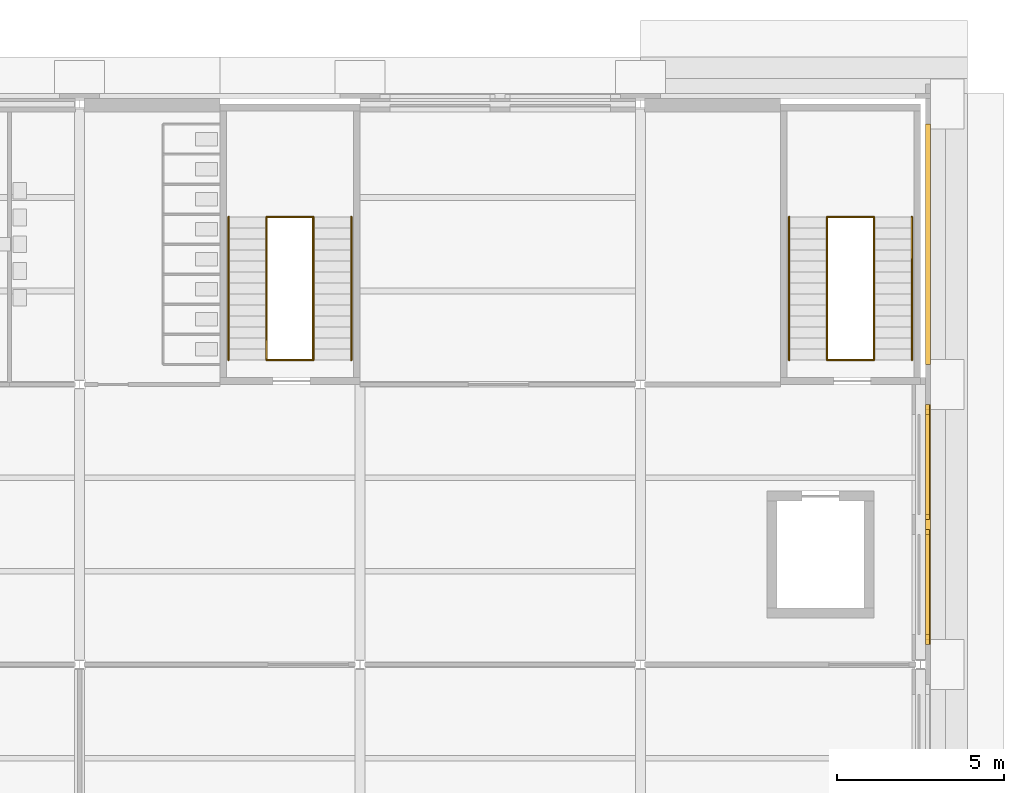
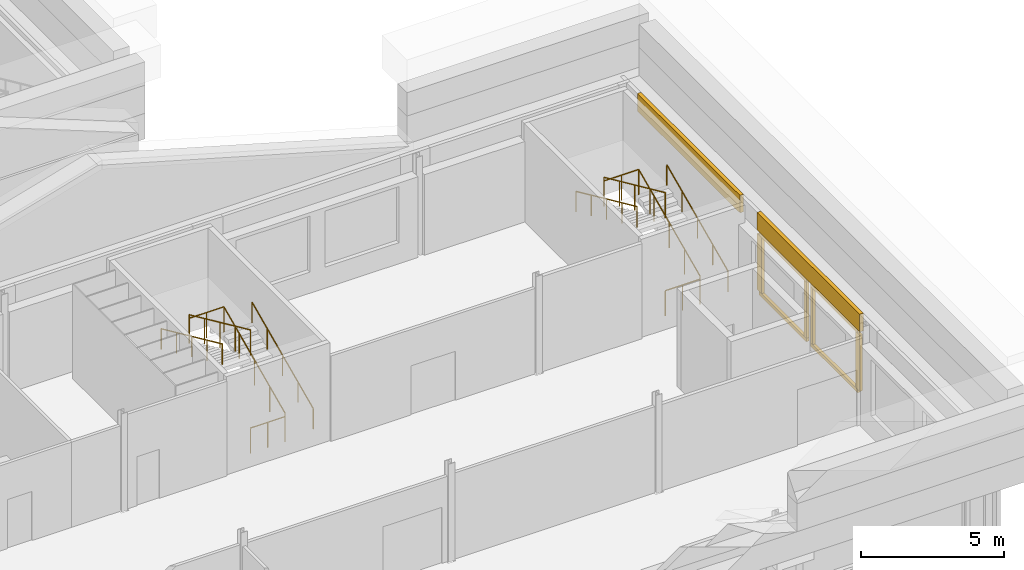
# One storey, part 62 of 76: 12 railings, 10 coverings.
"""IFC4 building model written with IfcOpenShell, lengths in metres."""

from ifc_helpers import new_model, si_unit, direction, frame, origin, origin_2d, place, context, subcontext, project, spatial, polyline, rectangle, circle, outline, extrude, material, layer, layer_set, type_object, element, save


model = new_model("IFC4")

# Units and contexts
model_context = context("Model", 3, precision=1e-05, world=origin(), true_north=direction((0.0, 1.0)))
body_context = subcontext(model_context, "Body", "Model", "MODEL_VIEW")
ifc_project = project(units=[si_unit("LENGTHUNIT", "METRE"), si_unit("AREAUNIT", "SQUARE_METRE"), si_unit("VOLUMEUNIT", "CUBIC_METRE"), si_unit("PLANEANGLEUNIT", "RADIAN"), si_unit("MASSUNIT", "GRAM", prefix="KILO")], contexts=[model_context])

# Site, building, storey
site_placement = place(None, origin())
site = spatial("IfcSite", under=ifc_project, at=site_placement, CompositionType="ELEMENT")
building_placement = place(site_placement, origin())
building = spatial("IfcBuilding", under=site, at=building_placement, Name="Sava Quay Ferry Terminal", CompositionType="ELEMENT")
storey_placement = place(building_placement, frame((0.0, 0.0, 10.800048828125)))
storey = spatial("IfcBuildingStorey", under=building, at=storey_placement, Name="L02", CompositionType="ELEMENT", Elevation=10.800048828125)

# Railings
ifc_material_1 = material(Name="Steel S355", Category="steel")
railing_type_1 = type_object("IfcRailingType", Name="Guard 1100", PredefinedType="GUARDRAIL", material=ifc_material_1)
railing_1_placement = place(storey_placement, frame((106.39990234375, 42.72998046875, 0.0)))
element("IfcRailing", 1, at=railing_1_placement, inside=storey, type_object=railing_type_1, Name="Guard at stair well ST-P3 L02", PredefinedType="GUARDRAIL", context=body_context, shape_type="SweptSolid", body=[
    extrude(circle(Radius=0.02392578125, at=origin_2d()), frame((0.0, 0.0, 1.076171875), z_axis=(1.0, 0.0, 0.0), x_axis=(0.0, 1.0, 0.0)), (0.0, 0.0, 1.0), 1.400146484375),
    extrude(circle(Radius=0.02099609375, at=origin_2d()), origin(), (0.0, 0.0, 1.0), 1.052001953125),
    extrude(circle(Radius=0.02099609375, at=origin_2d()), frame((0.7001953125, 0.0, 0.0)), (0.0, 0.0, 1.0), 1.052001953125),
    extrude(circle(Radius=0.02099609375, at=origin_2d()), frame((1.400146484375, 0.0, 0.0)), (0.0, 0.0, 1.0), 1.052001953125),
])
railing_2_placement = place(storey_placement, frame((107.800048828125, 42.72998046875, 0.14990234375)))
element("IfcRailing", 2, at=railing_2_placement, inside=storey, type_object=railing_type_1, Name="Guard at stair well ST-P3 L02", PredefinedType="GUARDRAIL", context=body_context, shape_type="SweptSolid", body=[
    extrude(circle(Radius=0.02392578125, at=origin_2d()), frame((0.0, 0.0, 1.076171875), z_axis=(0.0, 0.910371800137, 0.413791234219), x_axis=(-1.0, 0.0, 0.0)), (0.0, 0.0, 1.0), 4.71240234375),
    extrude(circle(Radius=0.02099609375, at=origin_2d()), origin(), (0.0, 0.0, 1.0), 1.052001953125),
    extrude(circle(Radius=0.02099609375, at=origin_2d()), frame((0.0, 1.072509765625, 0.487548828125)), (0.0, 0.0, 1.0), 1.052001953125),
    extrude(circle(Radius=0.02099609375, at=origin_2d()), frame((0.0, 2.14501953125, 0.97509765625)), (0.0, 0.0, 1.0), 1.052001953125),
    extrude(circle(Radius=0.02099609375, at=origin_2d()), frame((0.0, 3.217529296875, 1.46240234375)), (0.0, 0.0, 1.0), 1.052001953125),
    extrude(circle(Radius=0.02099609375, at=origin_2d()), frame((0.0, 4.2900390625, 1.949951171875)), (0.0, 0.0, 1.0), 1.052001953125),
])
railing_3_placement = place(storey_placement, frame((106.39990234375, 47.02001953125, 2.25)))
element("IfcRailing", 3, at=railing_3_placement, inside=storey, type_object=railing_type_1, Name="Guard at stair well ST-P3 L02", PredefinedType="GUARDRAIL", context=body_context, shape_type="SweptSolid", body=[
    extrude(circle(Radius=0.02392578125, at=origin_2d()), frame((0.0, 0.0, 1.076171875), z_axis=(0.0, -0.910371800137, 0.413791234219), x_axis=(1.0, 0.0, 0.0)), (0.0, 0.0, 1.0), 4.71240234375),
    extrude(circle(Radius=0.02099609375, at=origin_2d()), origin(), (0.0, 0.0, 1.0), 1.052001953125),
    extrude(circle(Radius=0.02099609375, at=origin_2d()), frame((0.0, -1.072509765625, 0.487548828125)), (0.0, 0.0, 1.0), 1.052001953125),
    extrude(circle(Radius=0.02099609375, at=origin_2d()), frame((0.0, -2.14501953125, 0.97509765625)), (0.0, 0.0, 1.0), 1.052001953125),
    extrude(circle(Radius=0.02099609375, at=origin_2d()), frame((0.0, -3.217529296875, 1.46240234375)), (0.0, 0.0, 1.0), 1.052001953125),
    extrude(circle(Radius=0.02099609375, at=origin_2d()), frame((0.0, -4.2900390625, 1.949951171875)), (0.0, 0.0, 1.0), 1.052001953125),
])
for number, where, name in (
    (4, (106.39990234375, 47.02001953125, 2.099853515625), "Guard at half landing ST-P3 L02"),
    (5, (123.199951171875, 42.72998046875, 0.0), "Guard at stair well ST-P2 L02"),
):
    element("IfcRailing", number, at=place(storey_placement, frame(where)), inside=storey, type_object=railing_type_1, Name=name, PredefinedType="GUARDRAIL", context=body_context, shape_type="SweptSolid", body=[
        extrude(circle(Radius=0.02392578125, at=origin_2d()), frame((0.0, 0.0, 1.076171875), z_axis=(1.0, 0.0, 0.0), x_axis=(0.0, 1.0, 0.0)), (0.0, 0.0, 1.0), 1.400146484375),
        extrude(circle(Radius=0.02099609375, at=origin_2d()), origin(), (0.0, 0.0, 1.0), 1.052001953125),
        extrude(circle(Radius=0.02099609375, at=origin_2d()), frame((0.7001953125, 0.0, 0.0)), (0.0, 0.0, 1.0), 1.052001953125),
        extrude(circle(Radius=0.02099609375, at=origin_2d()), frame((1.400146484375, 0.0, 0.0)), (0.0, 0.0, 1.0), 1.052001953125),
    ])
railing_4_placement = place(storey_placement, frame((124.60009765625, 42.72998046875, 0.14990234375)))
element("IfcRailing", 6, at=railing_4_placement, inside=storey, type_object=railing_type_1, Name="Guard at stair well ST-P2 L02", PredefinedType="GUARDRAIL", context=body_context, shape_type="SweptSolid", body=[
    extrude(circle(Radius=0.02392578125, at=origin_2d()), frame((0.0, 0.0, 1.076171875), z_axis=(0.0, 0.910371800137, 0.413791234219), x_axis=(-1.0, 0.0, 0.0)), (0.0, 0.0, 1.0), 4.71240234375),
    extrude(circle(Radius=0.02099609375, at=origin_2d()), origin(), (0.0, 0.0, 1.0), 1.052001953125),
    extrude(circle(Radius=0.02099609375, at=origin_2d()), frame((0.0, 1.072509765625, 0.487548828125)), (0.0, 0.0, 1.0), 1.052001953125),
    extrude(circle(Radius=0.02099609375, at=origin_2d()), frame((0.0, 2.14501953125, 0.97509765625)), (0.0, 0.0, 1.0), 1.052001953125),
    extrude(circle(Radius=0.02099609375, at=origin_2d()), frame((0.0, 3.217529296875, 1.46240234375)), (0.0, 0.0, 1.0), 1.052001953125),
    extrude(circle(Radius=0.02099609375, at=origin_2d()), frame((0.0, 4.2900390625, 1.949951171875)), (0.0, 0.0, 1.0), 1.052001953125),
])
railing_5_placement = place(storey_placement, frame((123.199951171875, 47.02001953125, 2.25)))
element("IfcRailing", 7, at=railing_5_placement, inside=storey, type_object=railing_type_1, Name="Guard at stair well ST-P2 L02", PredefinedType="GUARDRAIL", context=body_context, shape_type="SweptSolid", body=[
    extrude(circle(Radius=0.02392578125, at=origin_2d()), frame((0.0, 0.0, 1.076171875), z_axis=(0.0, -0.910371800137, 0.413791234219), x_axis=(1.0, 0.0, 0.0)), (0.0, 0.0, 1.0), 4.71240234375),
    extrude(circle(Radius=0.02099609375, at=origin_2d()), origin(), (0.0, 0.0, 1.0), 1.052001953125),
    extrude(circle(Radius=0.02099609375, at=origin_2d()), frame((0.0, -1.072509765625, 0.487548828125)), (0.0, 0.0, 1.0), 1.052001953125),
    extrude(circle(Radius=0.02099609375, at=origin_2d()), frame((0.0, -2.14501953125, 0.97509765625)), (0.0, 0.0, 1.0), 1.052001953125),
    extrude(circle(Radius=0.02099609375, at=origin_2d()), frame((0.0, -3.217529296875, 1.46240234375)), (0.0, 0.0, 1.0), 1.052001953125),
    extrude(circle(Radius=0.02099609375, at=origin_2d()), frame((0.0, -4.2900390625, 1.949951171875)), (0.0, 0.0, 1.0), 1.052001953125),
])
railing_6_placement = place(storey_placement, frame((123.199951171875, 47.02001953125, 2.099853515625)))
element("IfcRailing", 8, at=railing_6_placement, inside=storey, type_object=railing_type_1, Name="Guard at half landing ST-P2 L02", PredefinedType="GUARDRAIL", context=body_context, shape_type="SweptSolid", body=[
    extrude(circle(Radius=0.02392578125, at=origin_2d()), frame((0.0, 0.0, 1.076171875), z_axis=(1.0, 0.0, 0.0), x_axis=(0.0, 1.0, 0.0)), (0.0, 0.0, 1.0), 1.400146484375),
    extrude(circle(Radius=0.02099609375, at=origin_2d()), origin(), (0.0, 0.0, 1.0), 1.052001953125),
    extrude(circle(Radius=0.02099609375, at=origin_2d()), frame((0.7001953125, 0.0, 0.0)), (0.0, 0.0, 1.0), 1.052001953125),
    extrude(circle(Radius=0.02099609375, at=origin_2d()), frame((1.400146484375, 0.0, 0.0)), (0.0, 0.0, 1.0), 1.052001953125),
])

# Coverings
ifc_material_2 = material(Name="Limestone Mutalj", Category="masonry")
ifc_layer_1 = layer(ifc_material_2, 0.14990234375)
ifc_layer_set_1 = layer_set([ifc_layer_1], Name="Limestone Mutalj")
covering_type_1 = type_object("IfcCoveringType", Name="Limestone string course 150", PredefinedType="CLADDING", material=ifc_layer_set_1)
covering_1_placement = place(storey_placement, frame((0.0, 0.0, 3.449951171875)))
element("IfcCovering", 9, at=covering_1_placement, inside=storey, type_object=covering_type_1, Name="String course P-E", PredefinedType="CLADDING", context=body_context, shape_type="SweptSolid", body=[
    extrude(outline(polyline([(126.14990234375, 34.199951171875), (126.14990234375, 41.39990234375), (126.300048828125, 41.39990234375), (126.300048828125, 34.199951171875), (126.14990234375, 34.199951171875)])), origin(), (0.0, 0.0, 1.0), 0.75),
])
covering_2_placement = place(storey_placement, frame((0.0, 0.0, 3.449951171875)))
element("IfcCovering", 10, at=covering_2_placement, inside=storey, type_object=covering_type_1, Name="String course P-E", PredefinedType="CLADDING", context=body_context, shape_type="SweptSolid", body=[
    extrude(outline(polyline([(126.14990234375, 42.60009765625), (126.14990234375, 49.800048828125), (126.300048828125, 49.800048828125), (126.300048828125, 42.60009765625), (126.14990234375, 42.60009765625)])), origin(), (0.0, 0.0, 1.0), 0.75),
])
ifc_material_3 = material(Name="Limestone Mutalj", Category="masonry")
ifc_layer_2 = layer(ifc_material_3, 0.1201171875)
ifc_layer_set_2 = layer_set([ifc_layer_2], Name="Limestone Mutalj")
covering_type_2 = type_object("IfcCoveringType", Name="Plain window architrave 150", PredefinedType="MOLDING", material=ifc_layer_set_2)
covering_3_placement = place(storey_placement, frame((126.2099609375, 34.35009765625, 0.89990234375), z_axis=(0.0, 0.0, 1.0), x_axis=(1.0, 0.0, 0.0)))
element("IfcCovering", 11, at=covering_3_placement, inside=storey, type_object=covering_type_2, Name="Plain window architrave", PredefinedType="MOLDING", context=body_context, shape_type="SweptSolid", body=[
    extrude(rectangle(XDim=0.1201171875, YDim=0.300048828125, at=origin_2d()), origin(), (0.0, 0.0, 1.0), 2.39990234375),
])
covering_4_placement = place(storey_placement, frame((126.2099609375, 37.574951171875, 0.89990234375), z_axis=(0.0, 0.0, 1.0), x_axis=(1.0, 0.0, 0.0)))
element("IfcCovering", 12, at=covering_4_placement, inside=storey, type_object=covering_type_2, Name="Plain window architrave", PredefinedType="MOLDING", context=body_context, shape_type="SweptSolid", body=[
    extrude(rectangle(XDim=0.1201171875, YDim=0.14990234375, at=origin_2d()), origin(), (0.0, 0.0, 1.0), 2.39990234375),
])
for number, where, z_axis, x_axis, name in (
    (13, (126.2099609375, 36.0, 3.300048828125), (0.0, 0.0, 1.0), (1.0, 0.0, 0.0), "Plain window architrave"),
    (14, (126.2099609375, 36.0, 0.75), (0.0, 0.0, 1.0), (1.0, 0.0, 0.0), "Plain window architrave"),
):
    element("IfcCovering", number, at=place(storey_placement, frame(where, z_axis=z_axis, x_axis=x_axis)), inside=storey, type_object=covering_type_2, Name=name, PredefinedType="MOLDING", context=body_context, shape_type="SweptSolid", body=[
        extrude(rectangle(XDim=0.1201171875, YDim=3.300048828125, at=origin_2d()), origin(), (0.0, 0.0, 1.0), 0.14990234375),
    ])
covering_5_placement = place(storey_placement, frame((126.2099609375, 38.02490234375, 0.89990234375), z_axis=(0.0, 0.0, 1.0), x_axis=(1.0, 0.0, 0.0)))
element("IfcCovering", 15, at=covering_5_placement, inside=storey, type_object=covering_type_2, Name="Plain window architrave", PredefinedType="MOLDING", context=body_context, shape_type="SweptSolid", body=[
    extrude(rectangle(XDim=0.1201171875, YDim=0.14990234375, at=origin_2d()), origin(), (0.0, 0.0, 1.0), 2.39990234375),
])
covering_6_placement = place(storey_placement, frame((126.2099609375, 41.25, 0.89990234375), z_axis=(0.0, 0.0, 1.0), x_axis=(1.0, 0.0, 0.0)))
element("IfcCovering", 16, at=covering_6_placement, inside=storey, type_object=covering_type_2, Name="Plain window architrave", PredefinedType="MOLDING", context=body_context, shape_type="SweptSolid", body=[
    extrude(rectangle(XDim=0.1201171875, YDim=0.300048828125, at=origin_2d()), origin(), (0.0, 0.0, 1.0), 2.39990234375),
])
for number, where, z_axis, x_axis, name in (
    (17, (126.2099609375, 39.60009765625, 3.300048828125), (0.0, 0.0, 1.0), (1.0, 0.0, 0.0), "Plain window architrave"),
    (18, (126.2099609375, 39.60009765625, 0.75), (0.0, 0.0, 1.0), (1.0, 0.0, 0.0), "Plain window architrave"),
):
    element("IfcCovering", number, at=place(storey_placement, frame(where, z_axis=z_axis, x_axis=x_axis)), inside=storey, type_object=covering_type_2, Name=name, PredefinedType="MOLDING", context=body_context, shape_type="SweptSolid", body=[
        extrude(rectangle(XDim=0.1201171875, YDim=3.300048828125, at=origin_2d()), origin(), (0.0, 0.0, 1.0), 0.14990234375),
    ])

# Railings
ifc_material_4 = material(Name="Steel S355", Category="steel")
railing_type_2 = type_object("IfcRailingType", Name="Stair handrail 900", PredefinedType="HANDRAIL", material=ifc_material_4)
railing_7_placement = place(storey_placement, frame((108.93994140625, 42.72998046875, 0.14990234375)))
element("IfcRailing", 19, at=railing_7_placement, inside=storey, type_object=railing_type_2, Name="Handrail ST-P3 L02", PredefinedType="HANDRAIL", context=body_context, shape_type="SweptSolid", body=[
    extrude(circle(Radius=0.02392578125, at=origin_2d()), frame((0.0, 0.0, 0.8759765625), z_axis=(0.0, 0.910371800137, 0.413791234219), x_axis=(-1.0, 0.0, 0.0)), (0.0, 0.0, 1.0), 4.71240234375),
    extrude(circle(Radius=0.02099609375, at=origin_2d()), origin(), (0.0, 0.0, 1.0), 0.851806640625),
    extrude(circle(Radius=0.02099609375, at=origin_2d()), frame((0.0, 1.072509765625, 0.487548828125)), (0.0, 0.0, 1.0), 0.851806640625),
    extrude(circle(Radius=0.02099609375, at=origin_2d()), frame((0.0, 2.14501953125, 0.97509765625)), (0.0, 0.0, 1.0), 0.851806640625),
    extrude(circle(Radius=0.02099609375, at=origin_2d()), frame((0.0, 3.217529296875, 1.46240234375)), (0.0, 0.0, 1.0), 0.851806640625),
    extrude(circle(Radius=0.02099609375, at=origin_2d()), frame((0.0, 4.2900390625, 1.949951171875)), (0.0, 0.0, 1.0), 0.851806640625),
])
railing_8_placement = place(storey_placement, frame((105.260009765625, 47.02001953125, 2.25)))
element("IfcRailing", 20, at=railing_8_placement, inside=storey, type_object=railing_type_2, Name="Handrail ST-P3 L02", PredefinedType="HANDRAIL", context=body_context, shape_type="SweptSolid", body=[
    extrude(circle(Radius=0.02392578125, at=origin_2d()), frame((0.0, 0.0, 0.8759765625), z_axis=(0.0, -0.910371800137, 0.413791234219), x_axis=(1.0, 0.0, 0.0)), (0.0, 0.0, 1.0), 4.71240234375),
    extrude(circle(Radius=0.02099609375, at=origin_2d()), origin(), (0.0, 0.0, 1.0), 0.851806640625),
    extrude(circle(Radius=0.02099609375, at=origin_2d()), frame((0.0, -1.072509765625, 0.487548828125)), (0.0, 0.0, 1.0), 0.851806640625),
    extrude(circle(Radius=0.02099609375, at=origin_2d()), frame((0.0, -2.14501953125, 0.97509765625)), (0.0, 0.0, 1.0), 0.851806640625),
    extrude(circle(Radius=0.02099609375, at=origin_2d()), frame((0.0, -3.217529296875, 1.46240234375)), (0.0, 0.0, 1.0), 0.851806640625),
    extrude(circle(Radius=0.02099609375, at=origin_2d()), frame((0.0, -4.2900390625, 1.949951171875)), (0.0, 0.0, 1.0), 0.851806640625),
])
railing_9_placement = place(storey_placement, frame((125.739990234375, 42.72998046875, 0.14990234375)))
element("IfcRailing", 21, at=railing_9_placement, inside=storey, type_object=railing_type_2, Name="Handrail ST-P2 L02", PredefinedType="HANDRAIL", context=body_context, shape_type="SweptSolid", body=[
    extrude(circle(Radius=0.02392578125, at=origin_2d()), frame((0.0, 0.0, 0.8759765625), z_axis=(0.0, 0.910371800137, 0.413791234219), x_axis=(-1.0, 0.0, 0.0)), (0.0, 0.0, 1.0), 4.71240234375),
    extrude(circle(Radius=0.02099609375, at=origin_2d()), origin(), (0.0, 0.0, 1.0), 0.851806640625),
    extrude(circle(Radius=0.02099609375, at=origin_2d()), frame((0.0, 1.072509765625, 0.487548828125)), (0.0, 0.0, 1.0), 0.851806640625),
    extrude(circle(Radius=0.02099609375, at=origin_2d()), frame((0.0, 2.14501953125, 0.97509765625)), (0.0, 0.0, 1.0), 0.851806640625),
    extrude(circle(Radius=0.02099609375, at=origin_2d()), frame((0.0, 3.217529296875, 1.46240234375)), (0.0, 0.0, 1.0), 0.851806640625),
    extrude(circle(Radius=0.02099609375, at=origin_2d()), frame((0.0, 4.2900390625, 1.949951171875)), (0.0, 0.0, 1.0), 0.851806640625),
])
railing_10_placement = place(storey_placement, frame((122.06005859375, 47.02001953125, 2.25)))
element("IfcRailing", 22, at=railing_10_placement, inside=storey, type_object=railing_type_2, Name="Handrail ST-P2 L02", PredefinedType="HANDRAIL", context=body_context, shape_type="SweptSolid", body=[
    extrude(circle(Radius=0.02392578125, at=origin_2d()), frame((0.0, 0.0, 0.8759765625), z_axis=(0.0, -0.910371800137, 0.413791234219), x_axis=(1.0, 0.0, 0.0)), (0.0, 0.0, 1.0), 4.71240234375),
    extrude(circle(Radius=0.02099609375, at=origin_2d()), origin(), (0.0, 0.0, 1.0), 0.851806640625),
    extrude(circle(Radius=0.02099609375, at=origin_2d()), frame((0.0, -1.072509765625, 0.487548828125)), (0.0, 0.0, 1.0), 0.851806640625),
    extrude(circle(Radius=0.02099609375, at=origin_2d()), frame((0.0, -2.14501953125, 0.97509765625)), (0.0, 0.0, 1.0), 0.851806640625),
    extrude(circle(Radius=0.02099609375, at=origin_2d()), frame((0.0, -3.217529296875, 1.46240234375)), (0.0, 0.0, 1.0), 0.851806640625),
    extrude(circle(Radius=0.02099609375, at=origin_2d()), frame((0.0, -4.2900390625, 1.949951171875)), (0.0, 0.0, 1.0), 0.851806640625),
])

save(model, "model.ifc")
